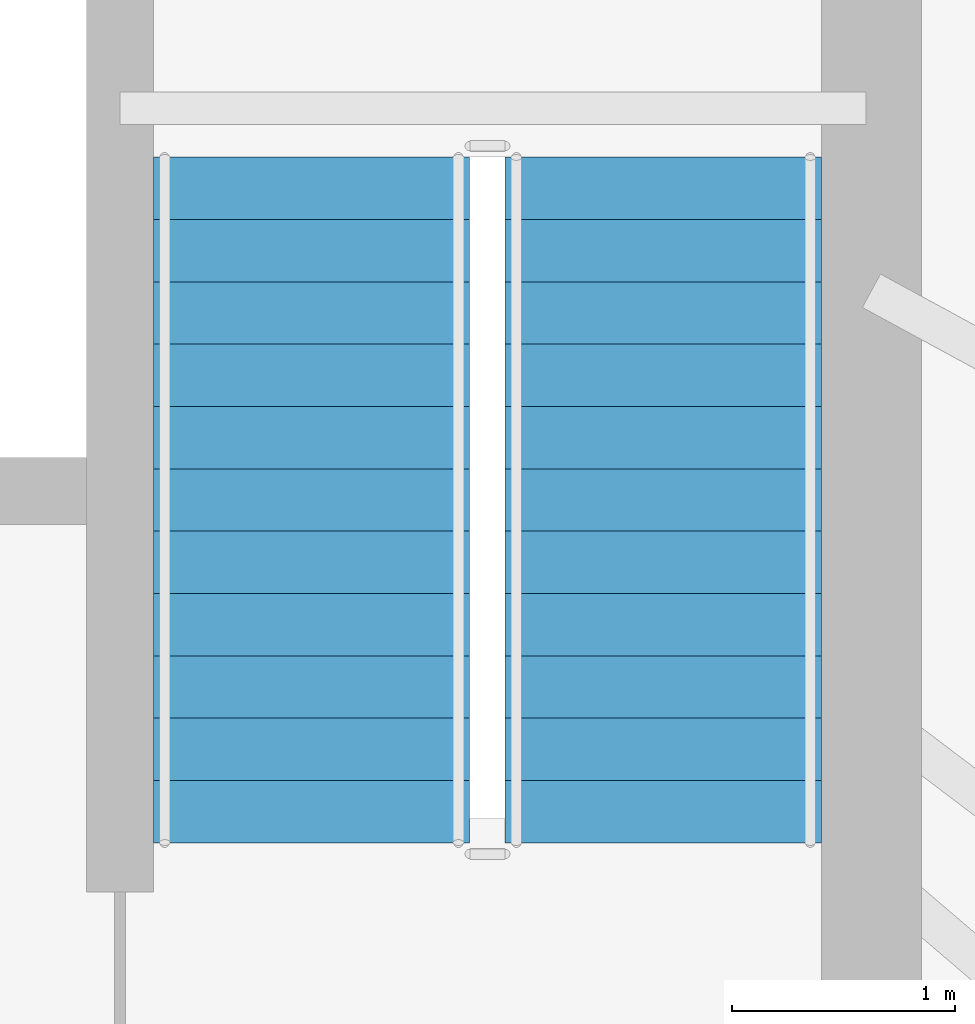
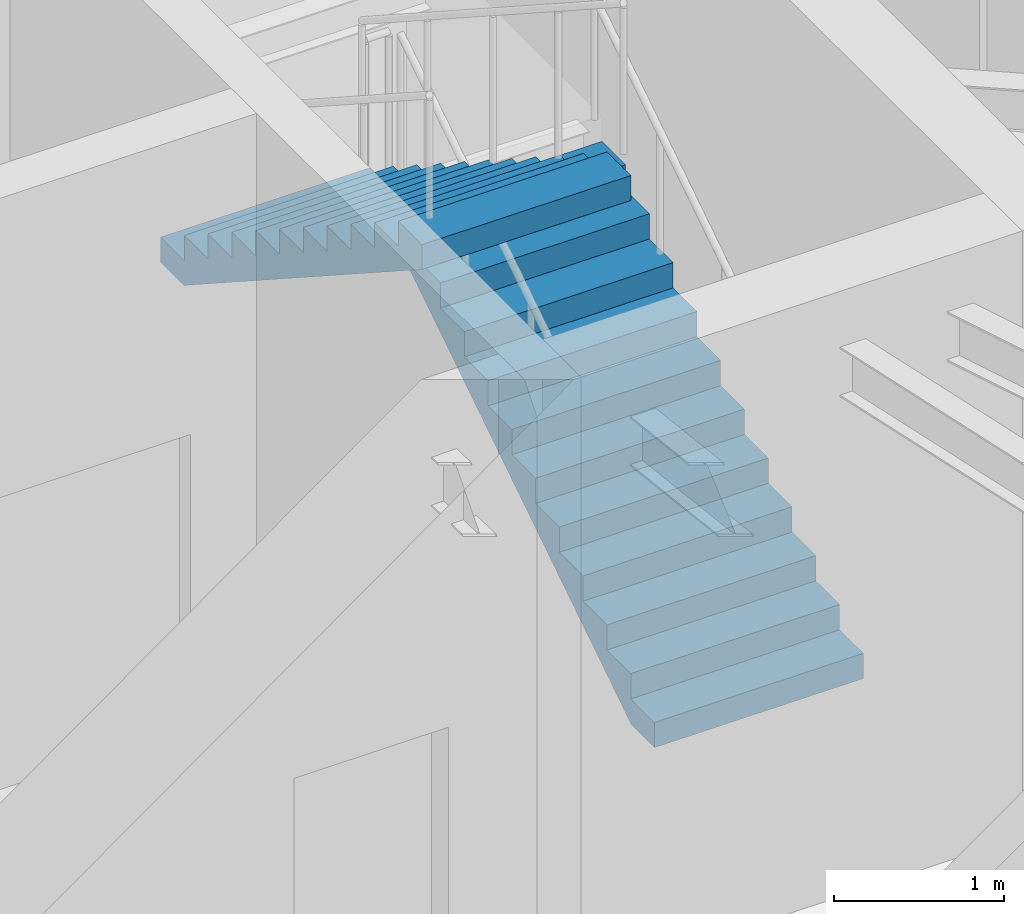
# One storey, part 30 of 33: 2 stair flights, 1 element without a shape of its own.
"""IFC4 building model written with IfcOpenShell, lengths in metres."""

from ifc_helpers import new_model, si_unit, direction, frame, origin, place, context, subcontext, project, spatial, polyline, outline, extrude, material, type_object, element, aggregate, save


model = new_model("IFC4")

# Units and contexts
model_context = context("Model", 3, precision=1e-05, world=origin(), true_north=direction((0.0, 1.0)))
body_context = subcontext(model_context, "Body", "Model", "MODEL_VIEW")
ifc_project = project(units=[si_unit("LENGTHUNIT", "METRE"), si_unit("AREAUNIT", "SQUARE_METRE"), si_unit("VOLUMEUNIT", "CUBIC_METRE"), si_unit("PLANEANGLEUNIT", "RADIAN"), si_unit("MASSUNIT", "GRAM", prefix="KILO")], contexts=[model_context])

# Site, building, storey
site_placement = place(None, origin())
site = spatial("IfcSite", under=ifc_project, at=site_placement, CompositionType="ELEMENT")
building_placement = place(site_placement, origin())
building = spatial("IfcBuilding", under=site, at=building_placement, Name="Orvanel Arch Residences", CompositionType="ELEMENT")
storey_placement = place(building_placement, frame((0.0, 0.0, 97.25)))
storey = spatial("IfcBuildingStorey", under=building, at=storey_placement, Name="L27", CompositionType="ELEMENT", Elevation=97.25)

# Stair, stair flights
ifc_material = material(Name="Precast concrete N50 (50 MPa)", Category="concrete")
stair_type = type_object("IfcStairType", Name="STR-DOG-181", PredefinedType="USERDEFINED", material=ifc_material)
stair_placement = place(storey_placement, origin())
stair = element("IfcStair", 1, at=stair_placement, inside=storey, type_object=stair_type, Name="L27 Fire-Isolated Core Exit Stair 2", ObjectType="TWO_RETURN_STAIR", PredefinedType="USERDEFINED")
stair_flight_type = type_object("IfcStairFlightType", Name="SFL-C2-181", PredefinedType="STRAIGHT", material=ifc_material)
stair_flight_1_placement = place(storey_placement, frame((38.68994140625, 28.320068359375, 0.0), z_axis=(0.0, 0.0, 1.0), x_axis=(0.0, 1.0, 0.0)))
stair_flight_1 = element("IfcStairFlight", 2, at=stair_flight_1_placement, type_object=stair_flight_type, Name="ST-2 flight 1", NumberOfRisers=12, NumberOfTreads=11, PredefinedType="STRAIGHT", RiserHeight=0.18125, TreadLength=0.28, context=body_context, shape_type="SweptSolid", body=[
    extrude(outline(polyline([(0.0, 0.0), (0.0, 0.18115234375), (0.280029296875, 0.18115234375), (0.280029296875, 0.362548828125), (0.56005859375, 0.362548828125), (0.56005859375, 0.543701171875), (0.840087890625, 0.543701171875), (0.840087890625, 0.72509765625), (1.1201171875, 0.72509765625), (1.1201171875, 0.90625), (1.39990234375, 0.90625), (1.39990234375, 1.08740234375), (1.679931640625, 1.08740234375), (1.679931640625, 1.268798828125), (1.9599609375, 1.268798828125), (1.9599609375, 1.449951171875), (2.239990234375, 1.449951171875), (2.239990234375, 1.63134765625), (2.52001953125, 1.63134765625), (2.52001953125, 1.8125), (2.800048828125, 1.8125), (2.800048828125, 1.99365234375), (3.080078125, 1.99365234375), (3.080078125, 2.175048828125), (3.080078125, 1.815185546875), (0.27587890625, 0.0), (0.0, 0.0)])), frame((0.0, 0.7099609375, 0.0), z_axis=(0.0, -1.0, 0.0), x_axis=(1.0, 0.0, 0.0)), (0.0, 0.0, 1.0), 1.419921875),
])
stair_flight_2_placement = place(storey_placement, frame((37.110107421875, 31.39990234375, 2.175048828125), z_axis=(0.0, 0.0, 1.0), x_axis=(0.0, -1.0, 0.0)))
stair_flight_2 = element("IfcStairFlight", 3, at=stair_flight_2_placement, type_object=stair_flight_type, Name="ST-2 flight 2", NumberOfRisers=12, NumberOfTreads=11, PredefinedType="STRAIGHT", RiserHeight=0.18125, TreadLength=0.28, context=body_context, shape_type="SweptSolid", body=[
    extrude(outline(polyline([(0.0, 0.0), (0.0, 0.18115234375), (0.280029296875, 0.18115234375), (0.280029296875, 0.362548828125), (0.56005859375, 0.362548828125), (0.56005859375, 0.543701171875), (0.840087890625, 0.543701171875), (0.840087890625, 0.72509765625), (1.1201171875, 0.72509765625), (1.1201171875, 0.90625), (1.39990234375, 0.90625), (1.39990234375, 1.08740234375), (1.679931640625, 1.08740234375), (1.679931640625, 1.268798828125), (1.9599609375, 1.268798828125), (1.9599609375, 1.449951171875), (2.239990234375, 1.449951171875), (2.239990234375, 1.63134765625), (2.52001953125, 1.63134765625), (2.52001953125, 1.8125), (2.800048828125, 1.8125), (2.800048828125, 1.99365234375), (3.080078125, 1.99365234375), (3.080078125, 2.175048828125), (3.080078125, 1.815185546875), (0.27587890625, 0.0), (0.0, 0.0)])), frame((0.0, 0.7099609375, 0.0), z_axis=(0.0, -1.0, 0.0), x_axis=(1.0, 0.0, 0.0)), (0.0, 0.0, 1.0), 1.419921875),
])
aggregate(stair, [stair_flight_1, stair_flight_2])

save(model, "model.ifc")
